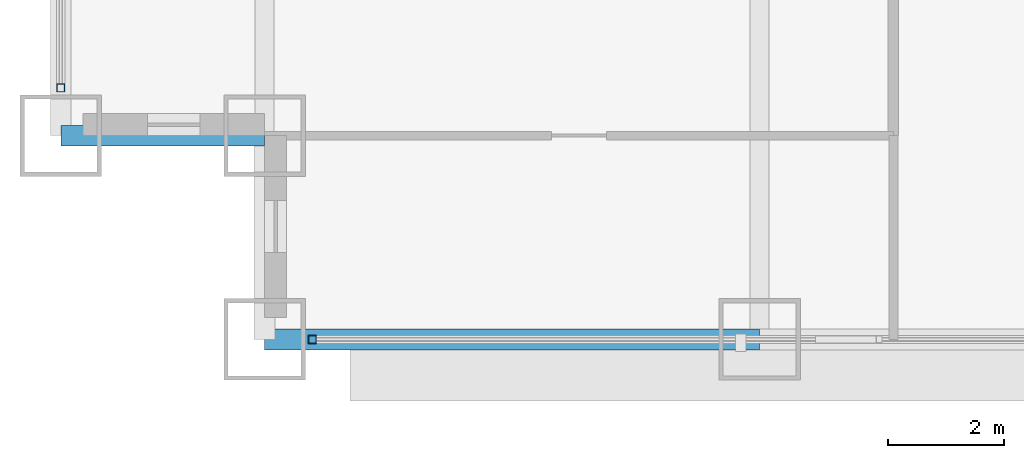
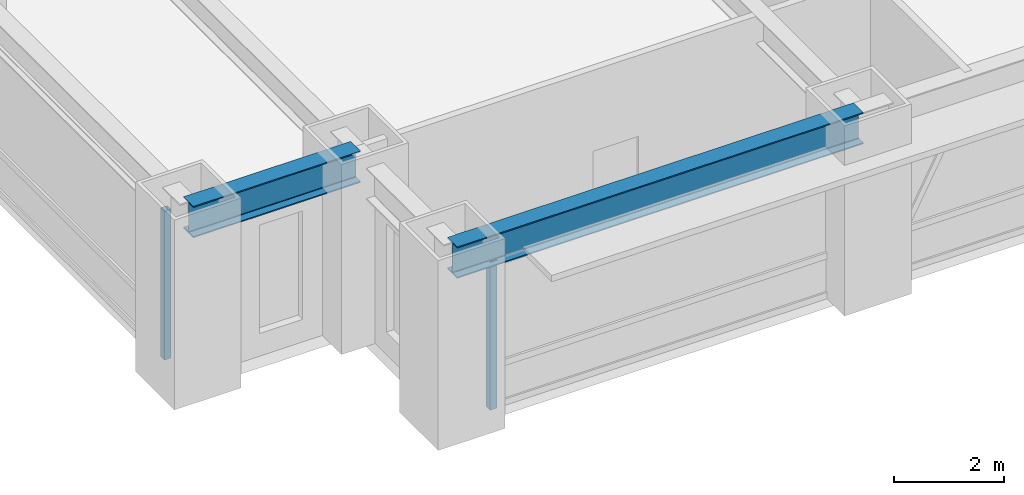
# One storey, part 2 of 31: 2 beams, 2 members, 2 elements without a shape of their own.
"""IFC4 building model written with IfcOpenShell, lengths in metres."""

from ifc_helpers import new_model, si_unit, direction, frame, origin, origin_2d, place, context, subcontext, project, spatial, hollow_rectangle, i_section, extrude, source, transform, mapped, material, material_profile, profile_set, type_object, element, aggregate, save


model = new_model("IFC4")

# Units and contexts
model_context = context("Model", 3, precision=1e-05, world=origin(), true_north=direction((0.0, 1.0)))
body_context = subcontext(model_context, "Body", "Model", "MODEL_VIEW")
ifc_project = project(units=[si_unit("LENGTHUNIT", "METRE"), si_unit("AREAUNIT", "SQUARE_METRE"), si_unit("VOLUMEUNIT", "CUBIC_METRE"), si_unit("PLANEANGLEUNIT", "RADIAN"), si_unit("MASSUNIT", "GRAM", prefix="KILO")], contexts=[model_context])

# Site, building, storey
site_placement = place(None, origin())
site = spatial("IfcSite", under=ifc_project, at=site_placement, CompositionType="ELEMENT")
building_placement = place(site_placement, origin())
building = spatial("IfcBuilding", under=site, at=building_placement, Name="Khorayat Bourse Tower", CompositionType="ELEMENT")
storey_placement = place(building_placement, frame((0.0, 0.0, 41.0)))
storey = spatial("IfcBuildingStorey", under=building, at=storey_placement, Name="L08", CompositionType="ELEMENT", Elevation=41.0)

# Beams
ifc_material_1 = material(Name="Steel ASTM A992 Grade 50", Category="steel")
ifc_material_profile_1 = material_profile(ifc_material_1, i_section(OverallWidth=0.35498046875, OverallDepth=0.695068359375, WebThickness=0.015380859375, FlangeThickness=0.02490234375, FilletRadius=0.01806640625, at=origin_2d()), Name="W690X217")
ifc_profile_set_1 = profile_set([ifc_material_profile_1], Name="Steel ASTM A992 Grade 50")
beam_type = type_object("IfcBeamType", Name="BM-SPAN-690", PredefinedType="SPANDREL", material=ifc_profile_set_1)
shared_shape_1 = source(origin(), body_context, "Body", "SweptSolid", [
    extrude(i_section(OverallWidth=0.35498046875, OverallDepth=0.695068359375, WebThickness=0.015380859375, FlangeThickness=0.02490234375, FilletRadius=0.01806640625, at=origin_2d()), origin(), (0.0, 0.0, 1.0), 8.5),
])
beam_1_placement = place(storey_placement, frame((-28.5, -32.0, 3.592529296875), z_axis=(1.0, 0.0, 0.0), x_axis=(0.0, 1.0, 0.0)))
element("IfcBeam", 1, at=beam_1_placement, inside=storey, type_object=beam_type, Name="L08 BM-SPAN-690 BM-L08-SPN-024", PredefinedType="SPANDREL", context=body_context, shape_type="MappedRepresentation", body=[
    mapped(shared_shape_1, transform((0.0, 0.0, 0.0), scale=1.0)),
])
shared_shape_2 = source(origin(), body_context, "Body", "SweptSolid", [
    extrude(i_section(OverallWidth=0.35498046875, OverallDepth=0.695068359375, WebThickness=0.015380859375, FlangeThickness=0.02490234375, FilletRadius=0.01806640625, at=origin_2d()), origin(), (0.0, 0.0, 1.0), 3.5),
])
beam_2_placement = place(storey_placement, frame((-32.0, -28.5, 3.592529296875), z_axis=(1.0, 0.0, 0.0), x_axis=(0.0, 1.0, 0.0)))
element("IfcBeam", 2, at=beam_2_placement, inside=storey, type_object=beam_type, Name="L08 BM-SPAN-690 BM-L08-SPN-062", PredefinedType="SPANDREL", context=body_context, shape_type="MappedRepresentation", body=[
    mapped(shared_shape_2, transform((0.0, 0.0, 0.0), scale=1.0)),
])

# Curtain wall, member
ifc_material_2 = material(Name="Aluminium EN AW-6063 T6", Category="aluminium")
curtain_wall_type = type_object("IfcCurtainWallType", Name="CW-SYS-02", PredefinedType="NOTDEFINED", material=ifc_material_2)
curtain_wall_1_placement = place(storey_placement, origin())
curtain_wall_1 = element("IfcCurtainWall", 3, at=curtain_wall_1_placement, inside=storey, type_object=curtain_wall_type, Name="L08 Curtain Wall CW-L08-S1", PredefinedType="NOTDEFINED")
ifc_material_profile_2 = material_profile(ifc_material_2, hollow_rectangle(XDim=0.139892578125, YDim=0.139892578125, WallThickness=0.006103515625, at=origin_2d()), Name="ALU 140x140x6")
ifc_profile_set_2 = profile_set([ifc_material_profile_2], Name="Aluminium EN AW-6063 T6")
member_type = type_object("IfcMemberType", Name="CWM-VERT-140", PredefinedType="MULLION", material=ifc_profile_set_2)
shared_shape_3 = source(origin(), body_context, "Body", "SweptSolid", [
    extrude(hollow_rectangle(XDim=0.139892578125, YDim=0.139892578125, WallThickness=0.006103515625, at=origin_2d()), origin(), (0.0, 0.0, 1.0), 3.2900390625),
])
member_1_placement = place(storey_placement, frame((-27.679931640625, -32.0, 0.0), z_axis=(0.0, 0.0, 1.0), x_axis=(0.0, 1.0, 0.0)))
member_1 = element("IfcMember", 4, at=member_1_placement, type_object=member_type, Name="CW-L08-S1 Vertical Mullion 1", PredefinedType="MULLION", context=body_context, shape_type="MappedRepresentation", body=[
    mapped(shared_shape_3, transform((0.0, 0.0, 0.0), scale=1.0)),
])
aggregate(curtain_wall_1, [member_1])

curtain_wall_2_placement = place(storey_placement, origin())
curtain_wall_2 = element("IfcCurtainWall", 5, at=curtain_wall_2_placement, inside=storey, type_object=curtain_wall_type, Name="L08 Curtain Wall CW-L08-W1", PredefinedType="NOTDEFINED")
member_2_placement = place(storey_placement, frame((-32.0, -27.679931640625, 0.0), z_axis=(0.0, 0.0, 1.0), x_axis=(-1.0, 0.0, 0.0)))
member_2 = element("IfcMember", 6, at=member_2_placement, type_object=member_type, Name="CW-L08-W1 Vertical Mullion 1", PredefinedType="MULLION", context=body_context, shape_type="MappedRepresentation", body=[
    mapped(shared_shape_3, transform((0.0, 0.0, 0.0), scale=1.0)),
])
aggregate(curtain_wall_2, [member_2])

save(model, "model.ifc")
